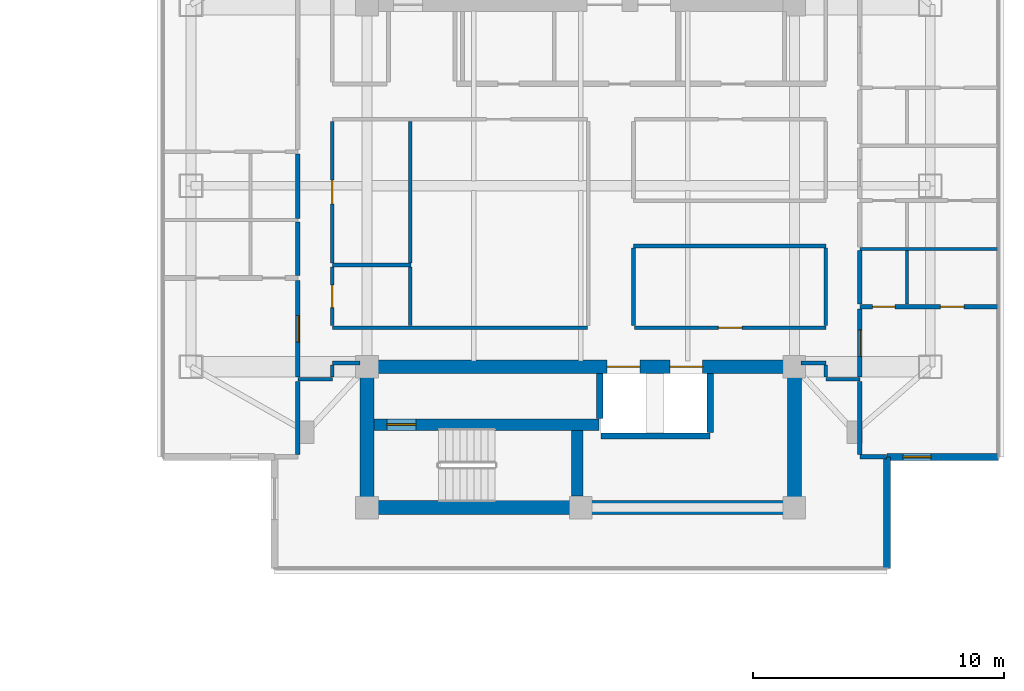
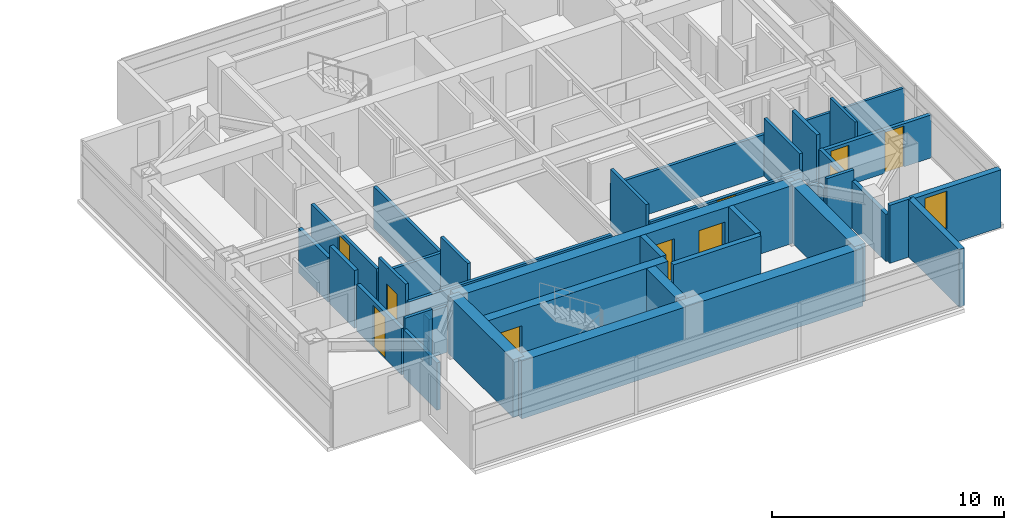
# One storey, part 16 of 24: 38 walls, 10 doors, 1 window, 11 openings.
"""IFC4 building model written with IfcOpenShell, lengths in metres."""

from ifc_helpers import new_model, si_unit, direction, frame, frame_2d, origin, place, context, subcontext, project, spatial, rectangle, extrude, material, layer, layer_set, type_object, element, fill, save


model = new_model("IFC4")

# Units and contexts
model_context = context("Model", 3, precision=1e-05, world=origin(), true_north=direction((0.0, 1.0)))
body_context = subcontext(model_context, "Body", "Model", "MODEL_VIEW")
ifc_project = project(units=[si_unit("LENGTHUNIT", "METRE"), si_unit("AREAUNIT", "SQUARE_METRE"), si_unit("VOLUMEUNIT", "CUBIC_METRE"), si_unit("PLANEANGLEUNIT", "RADIAN"), si_unit("MASSUNIT", "GRAM", prefix="KILO")], contexts=[model_context])

# Site, building, storey
site_placement = place(None, origin())
site = spatial("IfcSite", under=ifc_project, at=site_placement, CompositionType="ELEMENT")
building_placement = place(site_placement, origin())
building = spatial("IfcBuilding", under=site, at=building_placement, Name="Mirazonda Arch Towers", CompositionType="ELEMENT")
storey_placement = place(building_placement, frame((0.0, 0.0, 186.89990234375)))
storey = spatial("IfcBuildingStorey", under=building, at=storey_placement, Name="L53", CompositionType="ELEMENT", Elevation=186.89990234375)

# Wall, opening, door
ifc_material_1 = material(Name="Concrete C50/60", Category="concrete")
ifc_layer_1 = layer(ifc_material_1, 0.449951171875, Name="WALL-CORE-450")
ifc_layer_set_1 = layer_set([ifc_layer_1], Name="Concrete C50/60")
wall_type_1 = type_object("IfcWallType", Name="WALL-CORE-450", PredefinedType="SHEAR", material=ifc_layer_set_1)
wall_1_placement = place(storey_placement, frame((68.27001953125, 18.5, 0.0), z_axis=(0.0, 0.0, 1.0), x_axis=(1.0, 0.0, 0.0)))
wall_1 = element("IfcWall", 1, at=wall_1_placement, inside=storey, type_object=wall_type_1, Name="L53 Stair Core Shear Wall 013", PredefinedType="SHEAR", context=body_context, shape_type="SweptSolid", body=[
    extrude(rectangle(XDim=8.949951171875, YDim=0.449951171875, at=frame_2d((4.47509765625, 0.0))), origin(), (0.0, 0.0, 1.0), 3.050048828125),
])
opening_1_placement = place(wall_1_placement, frame((0.52001953125, 0.0, 0.0)))
opening_1 = element("IfcOpeningElement", 2, at=opening_1_placement, cuts=wall_1, Name="Opening DR-135", PredefinedType="OPENING", context=body_context, shape_type="SweptSolid", body=[
    extrude(rectangle(XDim=1.14990234375, YDim=2.199951171875, at=frame_2d((0.574951171875, 1.10009765625))), frame((0.0, 0.23486328125, 0.0), z_axis=(0.0, -1.0, 0.0), x_axis=(1.0, 0.0, 0.0)), (0.0, 0.0, 1.0), 0.469970703125),
])
ifc_material_2 = material(Name="Architectural Brushed Steel S355", Category="steel")
door_type_1 = type_object("IfcDoorType", Name="DOOR-STAIR-FD90-1150", OperationType="NOTDEFINED", PredefinedType="DOOR", material=ifc_material_2)
door_1_placement = place(opening_1_placement, origin())
door_1 = element("IfcDoor", 3, at=door_1_placement, inside=storey, type_object=door_type_1, Name="L53 East Protected Stair South Door", OperationType="SINGLE_SWING_LEFT", OverallHeight=2.199951171875, OverallWidth=1.14990234375, PredefinedType="DOOR", context=body_context, shape_type="SweptSolid", body=[
    extrude(rectangle(XDim=1.14990234375, YDim=2.199951171875, at=frame_2d((0.574951171875, 1.10009765625))), frame((0.0, 0.02490234375, 0.0), z_axis=(0.0, -1.0, 0.0), x_axis=(1.0, 0.0, 0.0)), (0.0, 0.0, 1.0), 0.050048828125),
])
fill(opening_1, door_1)

# Walls
wall_2_placement = place(storey_placement, frame((76.360107421875, 15.6650390625, 0.0), z_axis=(0.0, 0.0, 1.0), x_axis=(0.0, 1.0, 0.0)))
element("IfcWall", 4, at=wall_2_placement, inside=storey, type_object=wall_type_1, Name="L53 Stair Core Shear Wall 137", PredefinedType="SHEAR", context=body_context, shape_type="SweptSolid", body=[
    extrude(rectangle(XDim=2.599853515625, YDim=0.449951171875, at=frame_2d((1.2998046875, 0.0))), origin(), (0.0, 0.0, 1.0), 3.050048828125),
])
ifc_layer_2 = layer(ifc_material_1, 0.550048828125, Name="WALL-CORE-550")
ifc_layer_set_2 = layer_set([ifc_layer_2], Name="Concrete C50/60")
wall_type_2 = type_object("IfcWallType", Name="WALL-CORE-550", PredefinedType="SHEAR", material=ifc_layer_set_2)
wall_3_placement = place(storey_placement, frame((68.0, 15.199951171875, 0.0), z_axis=(0.0, 0.0, 1.0), x_axis=(1.0, 0.0, 0.0)))
element("IfcWall", 5, at=wall_3_placement, inside=storey, type_object=wall_type_2, Name="L53 T2S-S Core Shear Wall", PredefinedType="SHEAR", context=body_context, shape_type="SweptSolid", body=[
    extrude(rectangle(XDim=17.0, YDim=0.550048828125, at=frame_2d((8.5, 0.0))), origin(), (0.0, 0.0, 1.0), 3.050048828125),
])
for number, where, z_axis, x_axis, name in (
    (6, (68.0, 15.199951171875, 0.0), (0.0, 0.0, 1.0), (0.0, 1.0, 0.0), "L53 T2S-W Core Shear Wall"),
    (7, (85.0, 15.199951171875, 0.0), (0.0, 0.0, 1.0), (0.0, 1.0, 0.0), "L53 T2S-E Core Shear Wall"),
):
    element("IfcWall", number, at=place(storey_placement, frame(where, z_axis=z_axis, x_axis=x_axis)), inside=storey, type_object=wall_type_2, Name=name, PredefinedType="SHEAR", context=body_context, shape_type="SweptSolid", body=[
        extrude(rectangle(XDim=5.60009765625, YDim=0.550048828125, at=frame_2d((2.800048828125, 0.0))), origin(), (0.0, 0.0, 1.0), 3.050048828125),
    ])

# Wall, openings, doors
wall_4_placement = place(storey_placement, frame((68.0, 20.800048828125, 0.0), z_axis=(0.0, 0.0, 1.0), x_axis=(1.0, 0.0, 0.0)))
wall_4 = element("IfcWall", 8, at=wall_4_placement, inside=storey, type_object=wall_type_2, Name="L53 T2S-N Core Shear Wall", PredefinedType="SHEAR", context=body_context, shape_type="SweptSolid", body=[
    extrude(rectangle(XDim=17.0, YDim=0.550048828125, at=frame_2d((8.5, 0.0))), origin(), (0.0, 0.0, 1.0), 3.050048828125),
])
opening_2_placement = place(wall_4_placement, frame((9.550048828125, 0.0, 0.0)))
opening_2 = element("IfcOpeningElement", 9, at=opening_2_placement, cuts=wall_4, Name="Opening LD-111", PredefinedType="OPENING", context=body_context, shape_type="SweptSolid", body=[
    extrude(rectangle(XDim=1.300048828125, YDim=2.300048828125, at=frame_2d((0.64990234375, 1.14990234375))), frame((0.0, 0.284912109375, 0.0), z_axis=(0.0, -1.0, 0.0), x_axis=(1.0, 0.0, 0.0)), (0.0, 0.0, 1.0), 0.570068359375),
])
opening_3_placement = place(wall_4_placement, frame((12.050048828125, 0.0, 0.0)))
opening_3 = element("IfcOpeningElement", 10, at=opening_3_placement, cuts=wall_4, Name="Opening LD-111", PredefinedType="OPENING", context=body_context, shape_type="SweptSolid", body=[
    extrude(rectangle(XDim=1.300048828125, YDim=2.300048828125, at=frame_2d((0.64990234375, 1.14990234375))), frame((0.0, 0.284912109375, 0.0), z_axis=(0.0, -1.0, 0.0), x_axis=(1.0, 0.0, 0.0)), (0.0, 0.0, 1.0), 0.570068359375),
])
door_type_2 = type_object("IfcDoorType", Name="DOOR-LIFT-LAND-1300", OperationType="NOTDEFINED", PredefinedType="DOOR", material=ifc_material_2)
door_2_placement = place(opening_2_placement, origin())
door_2 = element("IfcDoor", 11, at=door_2_placement, inside=storey, type_object=door_type_2, Name="L53 Lift Landing Sliding Door PL-T2H1", OperationType="DOUBLE_DOOR_SLIDING", OverallHeight=2.300048828125, OverallWidth=1.300048828125, PredefinedType="DOOR", context=body_context, shape_type="SweptSolid", body=[
    extrude(rectangle(XDim=1.300048828125, YDim=2.300048828125, at=frame_2d((0.64990234375, 1.14990234375))), frame((0.0, 0.02490234375, 0.0), z_axis=(0.0, -1.0, 0.0), x_axis=(1.0, 0.0, 0.0)), (0.0, 0.0, 1.0), 0.050048828125),
])
fill(opening_2, door_2)
door_3_placement = place(opening_3_placement, origin())
door_3 = element("IfcDoor", 12, at=door_3_placement, inside=storey, type_object=door_type_2, Name="L53 Lift Landing Sliding Door PL-T2H2", OperationType="DOUBLE_DOOR_SLIDING", OverallHeight=2.300048828125, OverallWidth=1.300048828125, PredefinedType="DOOR", context=body_context, shape_type="SweptSolid", body=[
    extrude(rectangle(XDim=1.300048828125, YDim=2.300048828125, at=frame_2d((0.64990234375, 1.14990234375))), frame((0.0, 0.02490234375, 0.0), z_axis=(0.0, -1.0, 0.0), x_axis=(1.0, 0.0, 0.0)), (0.0, 0.0, 1.0), 0.050048828125),
])
fill(opening_3, door_3)

# Wall, opening, window
ifc_material_3 = material(Name="Precast Concrete C40/50", Category="concrete")
ifc_layer_3 = layer(ifc_material_3, 0.280029296875, Name="WALL-EXT-WALL-280")
ifc_layer_set_3 = layer_set([ifc_layer_3], Name="Precast Concrete C40/50")
wall_type_3 = type_object("IfcWallType", Name="WALL-EXT-WALL-280", PredefinedType="SOLIDWALL", material=ifc_layer_set_3)
wall_5_placement = place(storey_placement, frame((88.67578125, 17.218017578125, 0.0), z_axis=(0.0, 0.0, 1.0), x_axis=(1.0, 0.0, 0.0)))
wall_5 = element("IfcWall", 13, at=wall_5_placement, inside=storey, type_object=wall_type_3, Name="L53 T2 Corner Notch Return Wall WL-L53-T2-CSE1", PredefinedType="SOLIDWALL", context=body_context, shape_type="SweptSolid", body=[
    extrude(rectangle(XDim=4.439697265625, YDim=0.280029296875, at=frame_2d((2.2197265625, 0.0))), origin(), (0.0, 0.0, 1.0), 3.030029296875),
])
opening_4_placement = place(wall_5_placement, frame((0.64990234375, 0.0, 0.85009765625)))
opening_4 = element("IfcOpeningElement", 14, at=opening_4_placement, cuts=wall_5, Name="Opening WN-108", PredefinedType="OPENING", context=body_context, shape_type="SweptSolid", body=[
    extrude(rectangle(XDim=1.10009765625, YDim=2.0, at=frame_2d((0.550048828125, 1.0))), frame((0.0, 0.14990234375, 0.0), z_axis=(0.0, -1.0, 0.0), x_axis=(1.0, 0.0, 0.0)), (0.0, 0.0, 1.0), 0.300048828125),
])
ifc_material_4 = material(Name="Insulated Low-E Solar Glass", Category="glass")
window_type = type_object("IfcWindowType", Name="WIN-NOTCH-1100x2000", PartitioningType="SINGLE_PANEL", PredefinedType="WINDOW", material=ifc_material_4)
window_placement = place(opening_4_placement, origin())
window = element("IfcWindow", 15, at=window_placement, inside=storey, type_object=window_type, Name="L53 Punched Facade Window WN-L53-T2-CSE1", OverallHeight=2.0, OverallWidth=1.10009765625, PartitioningType="SINGLE_PANEL", PredefinedType="WINDOW", context=body_context, shape_type="SweptSolid", body=[
    extrude(rectangle(XDim=1.10009765625, YDim=2.0, at=frame_2d((0.550048828125, 1.0))), frame((0.0, 0.030029296875, 0.0), z_axis=(0.0, -1.0, 0.0), x_axis=(1.0, 0.0, 0.0)), (0.0, 0.0, 1.0), 0.06005859375),
])
fill(opening_4, window)

# Walls
wall_6_placement = place(storey_placement, frame((88.67578125, 12.7783203125, 0.0), z_axis=(0.0, 0.0, 1.0), x_axis=(0.0, 1.0, 0.0)))
element("IfcWall", 16, at=wall_6_placement, inside=storey, type_object=wall_type_3, Name="L53 T2 Corner Notch Return Wall WL-L53-T2-CSE2", PredefinedType="SOLIDWALL", context=body_context, shape_type="SweptSolid", body=[
    extrude(rectangle(XDim=4.439697265625, YDim=0.280029296875, at=frame_2d((2.2197265625, 0.0))), origin(), (0.0, 0.0, 1.0), 3.030029296875),
])
ifc_material_5 = material(Name="Fire-Rated Gypsum Stud Partition")
ifc_layer_4 = layer(ifc_material_5, 0.14990234375, Name="WALL-PART-CORR-150")
ifc_layer_set_4 = layer_set([ifc_layer_4], Name="Fire-Rated Gypsum Stud Partition")
wall_type_4 = type_object("IfcWallType", Name="WALL-PART-CORR-150", PredefinedType="PARTITIONING", material=ifc_layer_set_4)
wall_7_placement = place(storey_placement, frame((65.25, 20.300048828125, 0.0), z_axis=(0.0, 0.0, 1.0), x_axis=(1.0, 0.0, 0.0)))
element("IfcWall", 17, at=wall_7_placement, inside=storey, type_object=wall_type_4, Name="L53 Interior Partition 016", PredefinedType="PARTITIONING", context=body_context, shape_type="SweptSolid", body=[
    extrude(rectangle(XDim=1.3701171875, YDim=0.14990234375, at=frame_2d((0.68505859375, 0.0))), origin(), (0.0, 0.0, 1.0), 3.050048828125),
])
wall_8_placement = place(storey_placement, frame((86.25, 20.300048828125, 0.0), z_axis=(0.0, 0.0, 1.0), x_axis=(1.0, 0.0, 0.0)))
element("IfcWall", 18, at=wall_8_placement, inside=storey, type_object=wall_type_4, Name="L53 Interior Partition 017", PredefinedType="PARTITIONING", context=body_context, shape_type="SweptSolid", body=[
    extrude(rectangle(XDim=1.35009765625, YDim=0.14990234375, at=frame_2d((0.675048828125, 0.0))), origin(), (0.0, 0.0, 1.0), 3.050048828125),
])
wall_9_placement = place(storey_placement, frame((66.6201171875, 20.949951171875, 0.0), z_axis=(0.0, 0.0, 1.0), x_axis=(1.0, 0.0, 0.0)))
element("IfcWall", 19, at=wall_9_placement, inside=storey, type_object=wall_type_4, Name="L53 Interior Partition 018", PredefinedType="PARTITIONING", context=body_context, shape_type="SweptSolid", body=[
    extrude(rectangle(XDim=1.10986328125, YDim=0.14990234375, at=frame_2d((0.554931640625, 0.0))), origin(), (0.0, 0.0, 1.0), 2.442138671875),
])
wall_10_placement = place(storey_placement, frame((85.27001953125, 20.949951171875, 0.0), z_axis=(0.0, 0.0, 1.0), x_axis=(1.0, 0.0, 0.0)))
element("IfcWall", 20, at=wall_10_placement, inside=storey, type_object=wall_type_4, Name="L53 Interior Partition 019", PredefinedType="PARTITIONING", context=body_context, shape_type="SweptSolid", body=[
    extrude(rectangle(XDim=0.97998046875, YDim=0.14990234375, at=frame_2d((0.489990234375, 0.0))), origin(), (0.0, 0.0, 1.0), 2.442138671875),
])
wall_11_placement = place(storey_placement, frame((66.6201171875, 22.35009765625, 0.0), z_axis=(0.0, 0.0, 1.0), x_axis=(1.0, 0.0, 0.0)))
element("IfcWall", 21, at=wall_11_placement, inside=storey, type_object=wall_type_4, Name="L53 Interior Partition 021", PredefinedType="PARTITIONING", context=body_context, shape_type="SweptSolid", body=[
    extrude(rectangle(XDim=10.139892578125, YDim=0.14990234375, at=frame_2d((5.06982421875, 0.0))), origin(), (0.0, 0.0, 1.0), 2.18603515625),
])

# Wall, opening, door
wall_12_placement = place(storey_placement, frame((78.639892578125, 22.35009765625, 0.0), z_axis=(0.0, 0.0, 1.0), x_axis=(1.0, 0.0, 0.0)))
wall_12 = element("IfcWall", 22, at=wall_12_placement, inside=storey, type_object=wall_type_4, Name="L53 Interior Partition 022", PredefinedType="PARTITIONING", context=body_context, shape_type="SweptSolid", body=[
    extrude(rectangle(XDim=7.610107421875, YDim=0.14990234375, at=frame_2d((3.80517578125, 0.0))), origin(), (0.0, 0.0, 1.0), 2.18603515625),
])
opening_5_placement = place(wall_12_placement, frame((3.330078125, 0.0, 0.0)))
opening_5 = element("IfcOpeningElement", 23, at=opening_5_placement, cuts=wall_12, Name="Opening DR-104", PredefinedType="OPENING", context=body_context, shape_type="SweptSolid", body=[
    extrude(rectangle(XDim=0.949951171875, YDim=2.14990234375, at=frame_2d((0.47509765625, 1.074951171875))), frame((0.0, 0.0849609375, 0.0), z_axis=(0.0, -1.0, 0.0), x_axis=(1.0, 0.0, 0.0)), (0.0, 0.0, 1.0), 0.169921875),
])
door_type_3 = type_object("IfcDoorType", Name="DOOR-ROOM-950", OperationType="NOTDEFINED", PredefinedType="DOOR", material=ifc_material_2)
door_4_placement = place(opening_5_placement, origin())
door_4 = element("IfcDoor", 24, at=door_4_placement, inside=storey, type_object=door_type_3, Name="L53 L53 Tower 2 South-East Salon Door", OperationType="SINGLE_SWING_RIGHT", OverallHeight=2.14990234375, OverallWidth=0.949951171875, PredefinedType="DOOR", context=body_context, shape_type="SweptSolid", body=[
    extrude(rectangle(XDim=0.949951171875, YDim=2.14990234375, at=frame_2d((0.47509765625, 1.074951171875))), frame((0.0, 0.02490234375, 0.0), z_axis=(0.0, -1.0, 0.0), x_axis=(1.0, 0.0, 0.0)), (0.0, 0.0, 1.0), 0.050048828125),
])
fill(opening_5, door_4)

# Walls
wall_13_placement = place(storey_placement, frame((66.6201171875, 24.85009765625, 0.0), z_axis=(0.0, 0.0, 1.0), x_axis=(1.0, 0.0, 0.0)))
element("IfcWall", 25, at=wall_13_placement, inside=storey, type_object=wall_type_4, Name="L53 Interior Partition 027", PredefinedType="PARTITIONING", context=body_context, shape_type="SweptSolid", body=[
    extrude(rectangle(XDim=3.1298828125, YDim=0.14990234375, at=frame_2d((1.56494140625, 0.0))), origin(), (0.0, 0.0, 1.0), 2.18603515625),
])
wall_14_placement = place(storey_placement, frame((78.60009765625, 25.60009765625, 0.0), z_axis=(0.0, 0.0, 1.0), x_axis=(1.0, 0.0, 0.0)))
element("IfcWall", 26, at=wall_14_placement, inside=storey, type_object=wall_type_4, Name="L53 Interior Partition 028", PredefinedType="PARTITIONING", context=body_context, shape_type="SweptSolid", body=[
    extrude(rectangle(XDim=7.64990234375, YDim=0.14990234375, at=frame_2d((3.824951171875, 0.0))), origin(), (0.0, 0.0, 1.0), 2.18603515625),
])
wall_15_placement = place(storey_placement, frame((66.6201171875, 20.385009765625, 0.0), z_axis=(0.0, 0.0, 1.0), x_axis=(0.0, 1.0, 0.0)))
element("IfcWall", 27, at=wall_15_placement, inside=storey, type_object=wall_type_4, Name="L53 Interior Partition 127", PredefinedType="PARTITIONING", context=body_context, shape_type="SweptSolid", body=[
    extrude(rectangle(XDim=0.47998046875, YDim=0.14990234375, at=frame_2d((0.239990234375, 0.0))), origin(), (0.0, 0.0, 1.0), 2.442138671875),
])

# Wall, opening, door
wall_16_placement = place(storey_placement, frame((66.6201171875, 22.43505859375, 0.0), z_axis=(0.0, 0.0, 1.0), x_axis=(0.0, 1.0, 0.0)))
wall_16 = element("IfcWall", 28, at=wall_16_placement, inside=storey, type_object=wall_type_4, Name="L53 Interior Partition 128", PredefinedType="PARTITIONING", context=body_context, shape_type="SweptSolid", body=[
    extrude(rectangle(XDim=2.329833984375, YDim=0.14990234375, at=frame_2d((1.1650390625, 0.0))), origin(), (0.0, 0.0, 1.0), 3.050048828125),
])
opening_6_placement = place(wall_16_placement, frame((0.715087890625, 0.0, 0.0)))
opening_6 = element("IfcOpeningElement", 29, at=opening_6_placement, cuts=wall_16, Name="Opening DR-120", PredefinedType="OPENING", context=body_context, shape_type="SweptSolid", body=[
    extrude(rectangle(XDim=0.89990234375, YDim=2.10009765625, at=frame_2d((0.449951171875, 1.050048828125))), frame((0.0, 0.0849609375, 0.0), z_axis=(0.0, -1.0, 0.0), x_axis=(1.0, 0.0, 0.0)), (0.0, 0.0, 1.0), 0.169921875),
])
door_type_4 = type_object("IfcDoorType", Name="DOOR-WC-900", OperationType="NOTDEFINED", PredefinedType="DOOR", material=ifc_material_2)
door_5_placement = place(opening_6_placement, origin())
door_5 = element("IfcDoor", 30, at=door_5_placement, inside=storey, type_object=door_type_4, Name="L53 Tower 2 Common Accessible WC Door", OperationType="SINGLE_SWING_RIGHT", OverallHeight=2.10009765625, OverallWidth=0.89990234375, PredefinedType="DOOR", context=body_context, shape_type="SweptSolid", body=[
    extrude(rectangle(XDim=0.89990234375, YDim=2.10009765625, at=frame_2d((0.449951171875, 1.050048828125))), frame((0.0, 0.02490234375, 0.0), z_axis=(0.0, -1.0, 0.0), x_axis=(1.0, 0.0, 0.0)), (0.0, 0.0, 1.0), 0.050048828125),
])
fill(opening_6, door_5)

wall_17_placement = place(storey_placement, frame((66.6201171875, 24.93505859375, 0.0), z_axis=(0.0, 0.0, 1.0), x_axis=(0.0, 1.0, 0.0)))
wall_17 = element("IfcWall", 31, at=wall_17_placement, inside=storey, type_object=wall_type_4, Name="L53 Interior Partition 129", PredefinedType="PARTITIONING", context=body_context, shape_type="SweptSolid", body=[
    extrude(rectangle(XDim=5.6298828125, YDim=0.14990234375, at=frame_2d((2.81494140625, 0.0))), origin(), (0.0, 0.0, 1.0), 2.34619140625),
])
opening_7_placement = place(wall_17_placement, frame((2.340087890625, 0.0, 0.0)))
opening_7 = element("IfcOpeningElement", 32, at=opening_7_placement, cuts=wall_17, Name="Opening DR-104", PredefinedType="OPENING", context=body_context, shape_type="SweptSolid", body=[
    extrude(rectangle(XDim=0.949951171875, YDim=2.14990234375, at=frame_2d((0.47509765625, 1.074951171875))), frame((0.0, 0.0849609375, 0.0), z_axis=(0.0, -1.0, 0.0), x_axis=(1.0, 0.0, 0.0)), (0.0, 0.0, 1.0), 0.169921875),
])
door_6_placement = place(opening_7_placement, origin())
door_6 = element("IfcDoor", 33, at=door_6_placement, inside=storey, type_object=door_type_3, Name="L53 L53 East Courtyard Reading Study Door", OperationType="SINGLE_SWING_RIGHT", OverallHeight=2.14990234375, OverallWidth=0.949951171875, PredefinedType="DOOR", context=body_context, shape_type="SweptSolid", body=[
    extrude(rectangle(XDim=0.949951171875, YDim=2.14990234375, at=frame_2d((0.47509765625, 1.074951171875))), frame((0.0, 0.02490234375, 0.0), z_axis=(0.0, -1.0, 0.0), x_axis=(1.0, 0.0, 0.0)), (0.0, 0.0, 1.0), 0.050048828125),
])
fill(opening_7, door_6)

# Walls
wall_18_placement = place(storey_placement, frame((69.723388671875, 22.43505859375, 0.0), z_axis=(0.0, 0.0, 1.0), x_axis=(0.0, 1.0, 0.0)))
element("IfcWall", 34, at=wall_18_placement, inside=storey, type_object=wall_type_4, Name="L53 Interior Partition 132", PredefinedType="PARTITIONING", context=body_context, shape_type="SweptSolid", body=[
    extrude(rectangle(XDim=2.329833984375, YDim=0.14990234375, at=frame_2d((1.1650390625, 0.0))), origin(), (0.0, 0.0, 1.0), 3.050048828125),
])
wall_19_placement = place(storey_placement, frame((69.723388671875, 24.93505859375, 0.0), z_axis=(0.0, 0.0, 1.0), x_axis=(0.0, 1.0, 0.0)))
element("IfcWall", 35, at=wall_19_placement, inside=storey, type_object=wall_type_4, Name="L53 Interior Partition 133", PredefinedType="PARTITIONING", context=body_context, shape_type="SweptSolid", body=[
    extrude(rectangle(XDim=5.6298828125, YDim=0.14990234375, at=frame_2d((2.81494140625, 0.0))), origin(), (0.0, 0.0, 1.0), 2.18603515625),
])
wall_20_placement = place(storey_placement, frame((78.60009765625, 22.43505859375, 0.0), z_axis=(0.0, 0.0, 1.0), x_axis=(0.0, 1.0, 0.0)))
element("IfcWall", 36, at=wall_20_placement, inside=storey, type_object=wall_type_4, Name="L53 Interior Partition 141", PredefinedType="PARTITIONING", context=body_context, shape_type="SweptSolid", body=[
    extrude(rectangle(XDim=3.079833984375, YDim=0.14990234375, at=frame_2d((1.5400390625, 0.0))), origin(), (0.0, 0.0, 1.0), 3.050048828125),
])
wall_21_placement = place(storey_placement, frame((86.25, 20.385009765625, 0.0), z_axis=(0.0, 0.0, 1.0), x_axis=(0.0, 1.0, 0.0)))
element("IfcWall", 37, at=wall_21_placement, inside=storey, type_object=wall_type_4, Name="L53 Interior Partition 148", PredefinedType="PARTITIONING", context=body_context, shape_type="SweptSolid", body=[
    extrude(rectangle(XDim=0.47998046875, YDim=0.14990234375, at=frame_2d((0.239990234375, 0.0))), origin(), (0.0, 0.0, 1.0), 2.442138671875),
])
wall_22_placement = place(storey_placement, frame((86.25, 22.43505859375, 0.0), z_axis=(0.0, 0.0, 1.0), x_axis=(0.0, 1.0, 0.0)))
element("IfcWall", 38, at=wall_22_placement, inside=storey, type_object=wall_type_4, Name="L53 Interior Partition 149", PredefinedType="PARTITIONING", context=body_context, shape_type="SweptSolid", body=[
    extrude(rectangle(XDim=3.079833984375, YDim=0.14990234375, at=frame_2d((1.5400390625, 0.0))), origin(), (0.0, 0.0, 1.0), 3.050048828125),
])
ifc_material_6 = material(Name="Fire-Rated Gypsum Twin-Stud Assembly")
ifc_layer_5 = layer(ifc_material_6, 0.179931640625, Name="WALL-PART-DEMISE-180")
ifc_layer_set_5 = layer_set([ifc_layer_5], Name="Fire-Rated Gypsum Twin-Stud Assembly")
wall_type_5 = type_object("IfcWallType", Name="WALL-PART-DEMISE-180", PredefinedType="PARTITIONING", material=ifc_layer_set_5)
wall_23_placement = place(storey_placement, frame((87.60009765625, 17.218017578125, 0.0), z_axis=(0.0, 0.0, 1.0), x_axis=(1.0, 0.0, 0.0)))
element("IfcWall", 39, at=wall_23_placement, inside=storey, type_object=wall_type_5, Name="L53 Interior Partition 009", PredefinedType="PARTITIONING", context=body_context, shape_type="SweptSolid", body=[
    extrude(rectangle(XDim=1.0556640625, YDim=0.179931640625, at=frame_2d((0.52783203125, 0.0))), origin(), (0.0, 0.0, 1.0), 3.050048828125),
])

# Wall, openings, doors
wall_24_placement = place(storey_placement, frame((87.60009765625, 23.19189453125, 0.0), z_axis=(0.0, 0.0, 1.0), x_axis=(1.0, 0.0, 0.0)))
wall_24 = element("IfcWall", 40, at=wall_24_placement, inside=storey, type_object=wall_type_5, Name="L53 Interior Partition 025", PredefinedType="PARTITIONING", context=body_context, shape_type="SweptSolid", body=[
    extrude(rectangle(XDim=5.514892578125, YDim=0.179931640625, at=frame_2d((2.75732421875, 0.0))), origin(), (0.0, 0.0, 1.0), 2.26904296875),
])
opening_8_placement = place(wall_24_placement, frame((3.202392578125, 0.0, 0.0)))
opening_8 = element("IfcOpeningElement", 41, at=opening_8_placement, cuts=wall_24, Name="Opening DR-104", PredefinedType="OPENING", context=body_context, shape_type="SweptSolid", body=[
    extrude(rectangle(XDim=0.949951171875, YDim=2.14990234375, at=frame_2d((0.47509765625, 1.074951171875))), frame((0.0, 0.099853515625, 0.0), z_axis=(0.0, -1.0, 0.0), x_axis=(1.0, 0.0, 0.0)), (0.0, 0.0, 1.0), 0.199951171875),
])
opening_9_placement = place(wall_24_placement, frame((0.510009765625, 0.0, 0.0)))
opening_9 = element("IfcOpeningElement", 42, at=opening_9_placement, cuts=wall_24, Name="Opening DR-120", PredefinedType="OPENING", context=body_context, shape_type="SweptSolid", body=[
    extrude(rectangle(XDim=0.89990234375, YDim=2.10009765625, at=frame_2d((0.449951171875, 1.050048828125))), frame((0.0, 0.099853515625, 0.0), z_axis=(0.0, -1.0, 0.0), x_axis=(1.0, 0.0, 0.0)), (0.0, 0.0, 1.0), 0.199951171875),
])
door_7_placement = place(opening_8_placement, origin())
door_7 = element("IfcDoor", 43, at=door_7_placement, inside=storey, type_object=door_type_3, Name="L53 Studio 1 Galley Kitchen Door", OperationType="SINGLE_SWING_RIGHT", OverallHeight=2.14990234375, OverallWidth=0.949951171875, PredefinedType="DOOR", context=body_context, shape_type="SweptSolid", body=[
    extrude(rectangle(XDim=0.949951171875, YDim=2.14990234375, at=frame_2d((0.47509765625, 1.074951171875))), frame((0.0, 0.02490234375, 0.0), z_axis=(0.0, -1.0, 0.0), x_axis=(1.0, 0.0, 0.0)), (0.0, 0.0, 1.0), 0.050048828125),
])
fill(opening_8, door_7)
door_8_placement = place(opening_9_placement, origin())
door_8 = element("IfcDoor", 44, at=door_8_placement, inside=storey, type_object=door_type_4, Name="L53 Studio 1 Bathroom Door", OperationType="SINGLE_SWING_LEFT", OverallHeight=2.10009765625, OverallWidth=0.89990234375, PredefinedType="DOOR", context=body_context, shape_type="SweptSolid", body=[
    extrude(rectangle(XDim=0.89990234375, YDim=2.10009765625, at=frame_2d((0.449951171875, 1.050048828125))), frame((0.0, 0.02490234375, 0.0), z_axis=(0.0, -1.0, 0.0), x_axis=(1.0, 0.0, 0.0)), (0.0, 0.0, 1.0), 0.050048828125),
])
fill(opening_9, door_8)

# Wall
wall_25_placement = place(storey_placement, frame((65.25, 17.318115234375, 0.0), z_axis=(0.0, 0.0, 1.0), x_axis=(0.0, 1.0, 0.0)))
element("IfcWall", 45, at=wall_25_placement, inside=storey, type_object=wall_type_5, Name="L53 Interior Partition 121", PredefinedType="PARTITIONING", context=body_context, shape_type="SweptSolid", body=[
    extrude(rectangle(XDim=2.89697265625, YDim=0.179931640625, at=frame_2d((1.448486328125, 0.0))), origin(), (0.0, 0.0, 1.0), 2.4931640625),
])

# Wall, opening, door
wall_26_placement = place(storey_placement, frame((65.25, 20.385009765625, 0.0), z_axis=(0.0, 0.0, 1.0), x_axis=(0.0, 1.0, 0.0)))
wall_26 = element("IfcWall", 46, at=wall_26_placement, inside=storey, type_object=wall_type_5, Name="L53 Interior Partition 122", PredefinedType="PARTITIONING", context=body_context, shape_type="SweptSolid", body=[
    extrude(rectangle(XDim=3.846923828125, YDim=0.179931640625, at=frame_2d((1.92333984375, 0.0))), origin(), (0.0, 0.0, 1.0), 2.442138671875),
])
opening_10_placement = place(wall_26_placement, frame((1.3984375, 0.0, 0.0)))
opening_10 = element("IfcOpeningElement", 47, at=opening_10_placement, cuts=wall_26, Name="Opening DR-121", PredefinedType="OPENING", context=body_context, shape_type="SweptSolid", body=[
    extrude(rectangle(XDim=1.050048828125, YDim=2.199951171875, at=frame_2d((0.52490234375, 1.10009765625))), frame((0.0, 0.099853515625, 0.0), z_axis=(0.0, -1.0, 0.0), x_axis=(1.0, 0.0, 0.0)), (0.0, 0.0, 1.0), 0.199951171875),
])
door_type_5 = type_object("IfcDoorType", Name="DOOR-SUITE-FD60-1050", OperationType="NOTDEFINED", PredefinedType="DOOR", material=ifc_material_2)
door_9_placement = place(opening_10_placement, origin())
door_9 = element("IfcDoor", 48, at=door_9_placement, inside=storey, type_object=door_type_5, Name="L53 Studio Apartment 1 Living Salon Door", OperationType="SINGLE_SWING_LEFT", OverallHeight=2.199951171875, OverallWidth=1.050048828125, PredefinedType="DOOR", context=body_context, shape_type="SweptSolid", body=[
    extrude(rectangle(XDim=1.050048828125, YDim=2.199951171875, at=frame_2d((0.52490234375, 1.10009765625))), frame((0.0, 0.02490234375, 0.0), z_axis=(0.0, -1.0, 0.0), x_axis=(1.0, 0.0, 0.0)), (0.0, 0.0, 1.0), 0.050048828125),
])
fill(opening_10, door_9)

# Walls
wall_27_placement = place(storey_placement, frame((65.25, 24.431884765625, 0.0), z_axis=(0.0, 0.0, 1.0), x_axis=(0.0, 1.0, 0.0)))
element("IfcWall", 49, at=wall_27_placement, inside=storey, type_object=wall_type_5, Name="L53 Interior Partition 123", PredefinedType="PARTITIONING", context=body_context, shape_type="SweptSolid", body=[
    extrude(rectangle(XDim=2.127685546875, YDim=0.179931640625, at=frame_2d((1.06396484375, 0.0))), origin(), (0.0, 0.0, 1.0), 3.050048828125),
])
wall_28_placement = place(storey_placement, frame((65.25, 26.70458984375, 0.0), z_axis=(0.0, 0.0, 1.0), x_axis=(0.0, 1.0, 0.0)))
element("IfcWall", 50, at=wall_28_placement, inside=storey, type_object=wall_type_5, Name="L53 Interior Partition 124", PredefinedType="PARTITIONING", context=body_context, shape_type="SweptSolid", body=[
    extrude(rectangle(XDim=2.5625, YDim=0.179931640625, at=frame_2d((1.28125, 0.0))), origin(), (0.0, 0.0, 1.0), 2.34619140625),
])
wall_29_placement = place(storey_placement, frame((87.60009765625, 17.318115234375, 0.0), z_axis=(0.0, 0.0, 1.0), x_axis=(0.0, 1.0, 0.0)))
element("IfcWall", 51, at=wall_29_placement, inside=storey, type_object=wall_type_5, Name="L53 Interior Partition 152", PredefinedType="PARTITIONING", context=body_context, shape_type="SweptSolid", body=[
    extrude(rectangle(XDim=2.89697265625, YDim=0.179931640625, at=frame_2d((1.448486328125, 0.0))), origin(), (0.0, 0.0, 1.0), 2.4931640625),
])

# Wall, opening, door
wall_30_placement = place(storey_placement, frame((87.60009765625, 20.385009765625, 0.0), z_axis=(0.0, 0.0, 1.0), x_axis=(0.0, 1.0, 0.0)))
wall_30 = element("IfcWall", 52, at=wall_30_placement, inside=storey, type_object=wall_type_5, Name="L53 Interior Partition 153", PredefinedType="PARTITIONING", context=body_context, shape_type="SweptSolid", body=[
    extrude(rectangle(XDim=2.70703125, YDim=0.179931640625, at=frame_2d((1.353515625, 0.0))), origin(), (0.0, 0.0, 1.0), 2.442138671875),
])
opening_11_placement = place(wall_30_placement, frame((0.82861328125, 0.0, 0.0)))
opening_11 = element("IfcOpeningElement", 53, at=opening_11_placement, cuts=wall_30, Name="Opening DR-121", PredefinedType="OPENING", context=body_context, shape_type="SweptSolid", body=[
    extrude(rectangle(XDim=1.050048828125, YDim=2.199951171875, at=frame_2d((0.52490234375, 1.10009765625))), frame((0.0, 0.099853515625, 0.0), z_axis=(0.0, -1.0, 0.0), x_axis=(1.0, 0.0, 0.0)), (0.0, 0.0, 1.0), 0.199951171875),
])
door_10_placement = place(opening_11_placement, origin())
door_10 = element("IfcDoor", 54, at=door_10_placement, inside=storey, type_object=door_type_5, Name="L53 Studio Apartment 1 Living Salon Door", OperationType="SINGLE_SWING_LEFT", OverallHeight=2.199951171875, OverallWidth=1.050048828125, PredefinedType="DOOR", context=body_context, shape_type="SweptSolid", body=[
    extrude(rectangle(XDim=1.050048828125, YDim=2.199951171875, at=frame_2d((0.52490234375, 1.10009765625))), frame((0.0, 0.02490234375, 0.0), z_axis=(0.0, -1.0, 0.0), x_axis=(1.0, 0.0, 0.0)), (0.0, 0.0, 1.0), 0.050048828125),
])
fill(opening_11, door_10)

# Walls
wall_31_placement = place(storey_placement, frame((87.60009765625, 23.2919921875, 0.0), z_axis=(0.0, 0.0, 1.0), x_axis=(0.0, 1.0, 0.0)))
element("IfcWall", 55, at=wall_31_placement, inside=storey, type_object=wall_type_5, Name="L53 Interior Partition 154", PredefinedType="PARTITIONING", context=body_context, shape_type="SweptSolid", body=[
    extrude(rectangle(XDim=2.12744140625, YDim=0.179931640625, at=frame_2d((1.063720703125, 0.0))), origin(), (0.0, 0.0, 1.0), 3.050048828125),
])
ifc_material_7 = material(Name="Acoustic Fire-Rated Gypsum Partition")
ifc_layer_6 = layer(ifc_material_7, 0.125, Name="WALL-PART-UNIT-125")
ifc_layer_set_6 = layer_set([ifc_layer_6], Name="Acoustic Fire-Rated Gypsum Partition")
wall_type_6 = type_object("IfcWallType", Name="WALL-PART-UNIT-125", PredefinedType="PARTITIONING", material=ifc_layer_set_6)
wall_32_placement = place(storey_placement, frame((87.60009765625, 25.491943359375, 0.0), z_axis=(0.0, 0.0, 1.0), x_axis=(1.0, 0.0, 0.0)))
element("IfcWall", 56, at=wall_32_placement, inside=storey, type_object=wall_type_6, Name="L53 Interior Partition 029", PredefinedType="PARTITIONING", context=body_context, shape_type="SweptSolid", body=[
    extrude(rectangle(XDim=5.514892578125, YDim=0.125, at=frame_2d((2.75732421875, 0.0))), origin(), (0.0, 0.0, 1.0), 2.26904296875),
])
wall_33_placement = place(storey_placement, frame((89.47998046875, 23.2919921875, 0.0), z_axis=(0.0, 0.0, 1.0), x_axis=(0.0, 1.0, 0.0)))
element("IfcWall", 57, at=wall_33_placement, inside=storey, type_object=wall_type_6, Name="L53 Interior Partition 160", PredefinedType="PARTITIONING", context=body_context, shape_type="SweptSolid", body=[
    extrude(rectangle(XDim=2.12744140625, YDim=0.125, at=frame_2d((1.063720703125, 0.0))), origin(), (0.0, 0.0, 1.0), 3.050048828125),
])
ifc_material_8 = material(Name="Concrete C40/50", Category="concrete")
ifc_layer_7 = layer(ifc_material_8, 0.25, Name="WALL-SHAFT-250")
ifc_layer_set_7 = layer_set([ifc_layer_7], Name="Concrete C40/50")
wall_type_7 = type_object("IfcWallType", Name="WALL-SHAFT-250", PredefinedType="SOLIDWALL", material=ifc_layer_set_7)
wall_34_placement = place(storey_placement, frame((77.300048828125, 18.050048828125, 0.0), z_axis=(0.0, 0.0, 1.0), x_axis=(1.0, 0.0, 0.0)))
element("IfcWall", 58, at=wall_34_placement, inside=storey, type_object=wall_type_7, Name="L53 Interior Partition 010", PredefinedType="SOLIDWALL", context=body_context, shape_type="SweptSolid", body=[
    extrude(rectangle(XDim=4.349853515625, YDim=0.25, at=frame_2d((2.1748046875, 0.0))), origin(), (0.0, 0.0, 1.0), 3.050048828125),
])
wall_35_placement = place(storey_placement, frame((77.260009765625, 18.735107421875, 0.0), z_axis=(0.0, 0.0, 1.0), x_axis=(0.0, 1.0, 0.0)))
element("IfcWall", 59, at=wall_35_placement, inside=storey, type_object=wall_type_7, Name="L53 Interior Partition 140", PredefinedType="SOLIDWALL", context=body_context, shape_type="SweptSolid", body=[
    extrude(rectangle(XDim=1.794921875, YDim=0.25, at=frame_2d((0.8974609375, 0.0))), origin(), (0.0, 0.0, 1.0), 3.050048828125),
])
wall_36_placement = place(storey_placement, frame((81.64990234375, 18.18505859375, 0.0), z_axis=(0.0, 0.0, 1.0), x_axis=(0.0, 1.0, 0.0)))
element("IfcWall", 60, at=wall_36_placement, inside=storey, type_object=wall_type_7, Name="L53 Interior Partition 146", PredefinedType="SOLIDWALL", context=body_context, shape_type="SweptSolid", body=[
    extrude(rectangle(XDim=2.344970703125, YDim=0.25, at=frame_2d((1.17236328125, 0.0))), origin(), (0.0, 0.0, 1.0), 3.050048828125),
])

save(model, "model.ifc")
